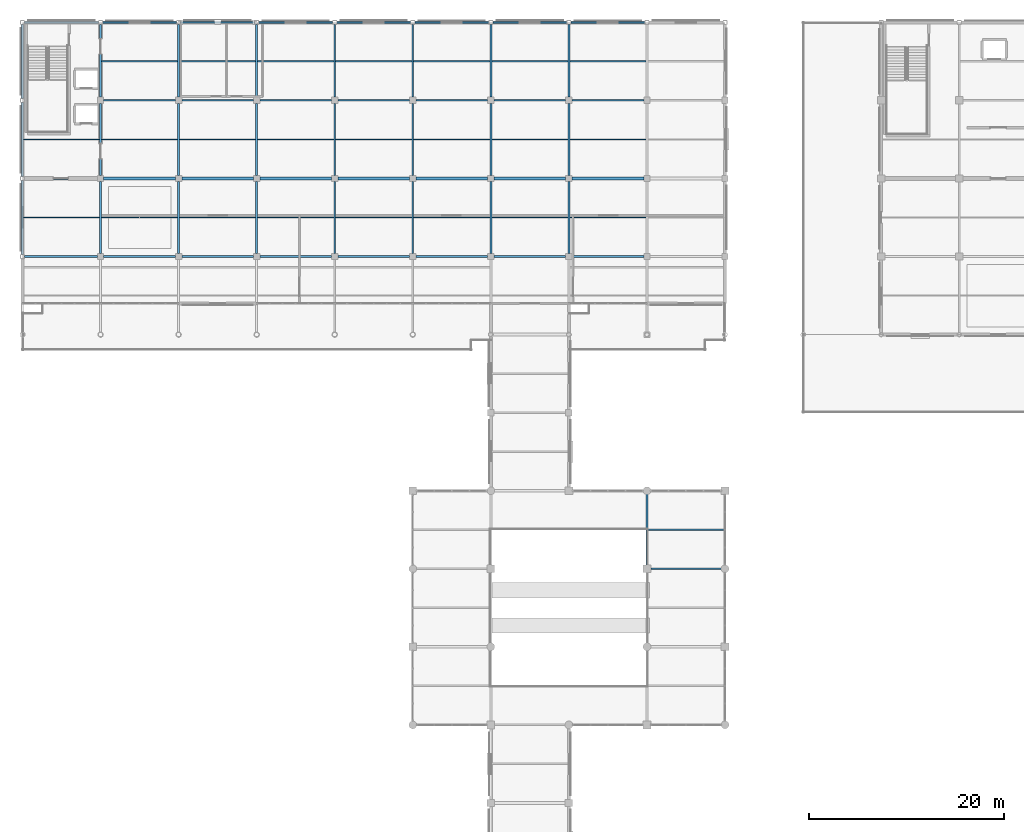
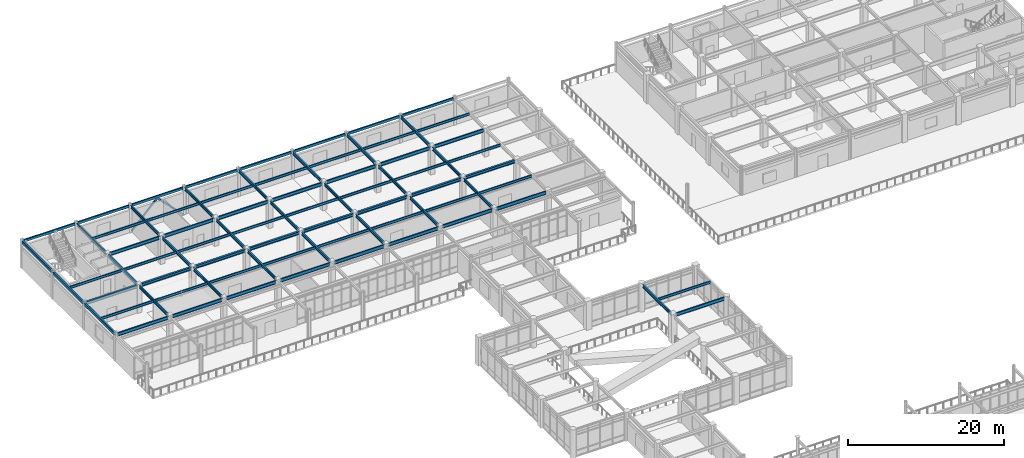
# One storey, part 44 of 75: 81 beams, 2 members.
"""IFC4 building model written with IfcOpenShell, lengths in metres."""

from ifc_helpers import new_model, si_unit, direction, frame, origin, origin_2d, place, context, subcontext, project, spatial, hollow_rectangle, i_section, extrude, material, material_profile, profile_set, type_object, element, save


model = new_model("IFC4")

# Units and contexts
model_context = context("Model", 3, precision=1e-05, world=origin(), true_north=direction((0.0, 1.0)))
body_context = subcontext(model_context, "Body", "Model", "MODEL_VIEW")
ifc_project = project(units=[si_unit("LENGTHUNIT", "METRE"), si_unit("AREAUNIT", "SQUARE_METRE"), si_unit("VOLUMEUNIT", "CUBIC_METRE"), si_unit("PLANEANGLEUNIT", "RADIAN"), si_unit("MASSUNIT", "GRAM", prefix="KILO")], contexts=[model_context])

# Site, building, storey
site_placement = place(None, origin())
site = spatial("IfcSite", under=ifc_project, at=site_placement, CompositionType="ELEMENT")
building_placement = place(site_placement, origin())
building = spatial("IfcBuilding", under=site, at=building_placement, Name="Solmirada Galleria", CompositionType="ELEMENT")
storey_placement = place(building_placement, frame((0.0, 0.0, 19.39990234375)))
storey = spatial("IfcBuildingStorey", under=building, at=storey_placement, Name="L04", CompositionType="ELEMENT", Elevation=19.39990234375)

# Beams
ifc_material_1 = material(Name="Steel S355 / ASTM A992 Grade 50", Category="steel")
ifc_material_profile_1 = material_profile(ifc_material_1, i_section(OverallWidth=0.281982421875, OverallDepth=0.467041015625, WebThickness=0.01220703125, FlangeThickness=0.01953125, FilletRadius=0.013916015625, at=origin_2d()), Name="W18X86")
ifc_profile_set_1 = profile_set([ifc_material_profile_1], Name="Steel S355 / ASTM A992 Grade 50")
beam_type_1 = type_object("IfcBeamType", Name="BM-GIRD-W18A", PredefinedType="BEAM", material=ifc_profile_set_1)
beam_1_placement = place(storey_placement, frame((40.202880859375, 104.0, 4.066650390625), z_axis=(1.0, 0.0, 0.0), x_axis=(0.0, 1.0, 0.0)))
element("IfcBeam", 1, at=beam_1_placement, inside=storey, type_object=beam_type_1, Name="Primary beam L05 X(40..48, 104)", PredefinedType="BEAM", context=body_context, shape_type="SweptSolid", body=[
    extrude(i_section(OverallWidth=0.281982421875, OverallDepth=0.467041015625, WebThickness=0.01220703125, FlangeThickness=0.01953125, FilletRadius=0.013916015625, at=origin_2d()), origin(), (0.0, 0.0, 1.0), 7.47216796875),
])
for number, where, z_axis, x_axis, name in (
    (2, (48.324951171875, 104.0, 4.066650390625), (1.0, 0.0, 0.0), (0.0, 1.0, 0.0), "Primary beam L05 X(48..56, 104)"),
    (3, (56.324951171875, 104.0, 4.066650390625), (1.0, 0.0, 0.0), (0.0, 1.0, 0.0), "Primary beam L05 X(56..64, 104)"),
    (4, (64.324951171875, 104.0, 4.066650390625), (1.0, 0.0, 0.0), (0.0, 1.0, 0.0), "Primary beam L05 X(64..72, 104)"),
    (5, (72.324951171875, 104.0, 4.066650390625), (1.0, 0.0, 0.0), (0.0, 1.0, 0.0), "Primary beam L05 X(72..80, 104)"),
    (6, (80.324951171875, 104.0, 4.066650390625), (1.0, 0.0, 0.0), (0.0, 1.0, 0.0), "Primary beam L05 X(80..88, 104)"),
    (7, (88.324951171875, 104.0, 4.066650390625), (1.0, 0.0, 0.0), (0.0, 1.0, 0.0), "Primary beam L05 X(88..96, 104)"),
    (8, (96.324951171875, 104.0, 4.066650390625), (1.0, 0.0, 0.0), (0.0, 1.0, 0.0), "Primary beam L05 X(96..104, 104)"),
):
    element("IfcBeam", number, at=place(storey_placement, frame(where, z_axis=z_axis, x_axis=x_axis)), inside=storey, type_object=beam_type_1, Name=name, PredefinedType="BEAM", context=body_context, shape_type="SweptSolid", body=[
        extrude(i_section(OverallWidth=0.281982421875, OverallDepth=0.467041015625, WebThickness=0.01220703125, FlangeThickness=0.01953125, FilletRadius=0.013916015625, at=origin_2d()), origin(), (0.0, 0.0, 1.0), 7.35009765625),
    ])
ifc_material_profile_2 = material_profile(ifc_material_1, i_section(OverallWidth=0.193115234375, OverallDepth=0.466064453125, WebThickness=0.011474609375, FlangeThickness=0.01904296875, FilletRadius=0.013916015625, at=origin_2d()), Name="W18X65")
ifc_profile_set_2 = profile_set([ifc_material_profile_2], Name="Steel S355 / ASTM A992 Grade 50")
beam_type_2 = type_object("IfcBeamType", Name="BM-GIRD-W18C", PredefinedType="BEAM", material=ifc_profile_set_2)
for number, where, z_axis, x_axis, name in (
    (9, (48.0, 96.324951171875, 4.067138671875), (0.0, 1.0, 0.0), (-1.0, 0.0, 0.0), "Primary girder L05 Y(48, 96..104)"),
    (10, (48.0, 104.324951171875, 4.067138671875), (0.0, 1.0, 0.0), (-1.0, 0.0, 0.0), "Primary girder L05 Y(48, 104..112)"),
):
    element("IfcBeam", number, at=place(storey_placement, frame(where, z_axis=z_axis, x_axis=x_axis)), inside=storey, type_object=beam_type_2, Name=name, PredefinedType="BEAM", context=body_context, shape_type="SweptSolid", body=[
        extrude(i_section(OverallWidth=0.193115234375, OverallDepth=0.466064453125, WebThickness=0.011474609375, FlangeThickness=0.01904296875, FilletRadius=0.013916015625, at=origin_2d()), origin(), (0.0, 0.0, 1.0), 7.35009765625),
    ])
beam_2_placement = place(storey_placement, frame((48.0, 112.324951171875, 4.067138671875), z_axis=(0.0, 1.0, 0.0), x_axis=(-1.0, 0.0, 0.0)))
element("IfcBeam", 11, at=beam_2_placement, inside=storey, type_object=beam_type_2, Name="Primary girder L05 Y(48, 112..120)", PredefinedType="BEAM", context=body_context, shape_type="SweptSolid", body=[
    extrude(i_section(OverallWidth=0.193115234375, OverallDepth=0.466064453125, WebThickness=0.011474609375, FlangeThickness=0.01904296875, FilletRadius=0.013916015625, at=origin_2d()), origin(), (0.0, 0.0, 1.0), 7.47216796875),
])
for number, where, z_axis, x_axis, name in (
    (12, (56.0, 96.324951171875, 4.067138671875), (0.0, 1.0, 0.0), (-1.0, 0.0, 0.0), "Primary girder L05 Y(56, 96..104)"),
    (13, (56.0, 104.324951171875, 4.067138671875), (0.0, 1.0, 0.0), (-1.0, 0.0, 0.0), "Primary girder L05 Y(56, 104..112)"),
):
    element("IfcBeam", number, at=place(storey_placement, frame(where, z_axis=z_axis, x_axis=x_axis)), inside=storey, type_object=beam_type_2, Name=name, PredefinedType="BEAM", context=body_context, shape_type="SweptSolid", body=[
        extrude(i_section(OverallWidth=0.193115234375, OverallDepth=0.466064453125, WebThickness=0.011474609375, FlangeThickness=0.01904296875, FilletRadius=0.013916015625, at=origin_2d()), origin(), (0.0, 0.0, 1.0), 7.35009765625),
    ])
beam_3_placement = place(storey_placement, frame((56.0, 112.324951171875, 4.067138671875), z_axis=(0.0, 1.0, 0.0), x_axis=(-1.0, 0.0, 0.0)))
element("IfcBeam", 14, at=beam_3_placement, inside=storey, type_object=beam_type_2, Name="Primary girder L05 Y(56, 112..120)", PredefinedType="BEAM", context=body_context, shape_type="SweptSolid", body=[
    extrude(i_section(OverallWidth=0.193115234375, OverallDepth=0.466064453125, WebThickness=0.011474609375, FlangeThickness=0.01904296875, FilletRadius=0.013916015625, at=origin_2d()), origin(), (0.0, 0.0, 1.0), 7.47216796875),
])
for number, where, z_axis, x_axis, name in (
    (15, (64.0, 96.324951171875, 4.067138671875), (0.0, 1.0, 0.0), (-1.0, 0.0, 0.0), "Primary girder L05 Y(64, 96..104)"),
    (16, (64.0, 104.324951171875, 4.067138671875), (0.0, 1.0, 0.0), (-1.0, 0.0, 0.0), "Primary girder L05 Y(64, 104..112)"),
):
    element("IfcBeam", number, at=place(storey_placement, frame(where, z_axis=z_axis, x_axis=x_axis)), inside=storey, type_object=beam_type_2, Name=name, PredefinedType="BEAM", context=body_context, shape_type="SweptSolid", body=[
        extrude(i_section(OverallWidth=0.193115234375, OverallDepth=0.466064453125, WebThickness=0.011474609375, FlangeThickness=0.01904296875, FilletRadius=0.013916015625, at=origin_2d()), origin(), (0.0, 0.0, 1.0), 7.35009765625),
    ])
beam_4_placement = place(storey_placement, frame((64.0, 112.324951171875, 4.067138671875), z_axis=(0.0, 1.0, 0.0), x_axis=(-1.0, 0.0, 0.0)))
element("IfcBeam", 17, at=beam_4_placement, inside=storey, type_object=beam_type_2, Name="Primary girder L05 Y(64, 112..120)", PredefinedType="BEAM", context=body_context, shape_type="SweptSolid", body=[
    extrude(i_section(OverallWidth=0.193115234375, OverallDepth=0.466064453125, WebThickness=0.011474609375, FlangeThickness=0.01904296875, FilletRadius=0.013916015625, at=origin_2d()), origin(), (0.0, 0.0, 1.0), 7.47216796875),
])
for number, where, z_axis, x_axis, name in (
    (18, (72.0, 96.324951171875, 4.067138671875), (0.0, 1.0, 0.0), (-1.0, 0.0, 0.0), "Primary girder L05 Y(72, 96..104)"),
    (19, (72.0, 104.324951171875, 4.067138671875), (0.0, 1.0, 0.0), (-1.0, 0.0, 0.0), "Primary girder L05 Y(72, 104..112)"),
):
    element("IfcBeam", number, at=place(storey_placement, frame(where, z_axis=z_axis, x_axis=x_axis)), inside=storey, type_object=beam_type_2, Name=name, PredefinedType="BEAM", context=body_context, shape_type="SweptSolid", body=[
        extrude(i_section(OverallWidth=0.193115234375, OverallDepth=0.466064453125, WebThickness=0.011474609375, FlangeThickness=0.01904296875, FilletRadius=0.013916015625, at=origin_2d()), origin(), (0.0, 0.0, 1.0), 7.35009765625),
    ])
beam_5_placement = place(storey_placement, frame((72.0, 112.324951171875, 4.067138671875), z_axis=(0.0, 1.0, 0.0), x_axis=(-1.0, 0.0, 0.0)))
element("IfcBeam", 20, at=beam_5_placement, inside=storey, type_object=beam_type_2, Name="Primary girder L05 Y(72, 112..120)", PredefinedType="BEAM", context=body_context, shape_type="SweptSolid", body=[
    extrude(i_section(OverallWidth=0.193115234375, OverallDepth=0.466064453125, WebThickness=0.011474609375, FlangeThickness=0.01904296875, FilletRadius=0.013916015625, at=origin_2d()), origin(), (0.0, 0.0, 1.0), 7.47216796875),
])
for number, where, z_axis, x_axis, name in (
    (21, (80.0, 96.324951171875, 4.067138671875), (0.0, 1.0, 0.0), (-1.0, 0.0, 0.0), "Primary girder L05 Y(80, 96..104)"),
    (22, (80.0, 104.324951171875, 4.067138671875), (0.0, 1.0, 0.0), (-1.0, 0.0, 0.0), "Primary girder L05 Y(80, 104..112)"),
):
    element("IfcBeam", number, at=place(storey_placement, frame(where, z_axis=z_axis, x_axis=x_axis)), inside=storey, type_object=beam_type_2, Name=name, PredefinedType="BEAM", context=body_context, shape_type="SweptSolid", body=[
        extrude(i_section(OverallWidth=0.193115234375, OverallDepth=0.466064453125, WebThickness=0.011474609375, FlangeThickness=0.01904296875, FilletRadius=0.013916015625, at=origin_2d()), origin(), (0.0, 0.0, 1.0), 7.35009765625),
    ])
beam_6_placement = place(storey_placement, frame((80.0, 112.324951171875, 4.067138671875), z_axis=(0.0, 1.0, 0.0), x_axis=(-1.0, 0.0, 0.0)))
element("IfcBeam", 23, at=beam_6_placement, inside=storey, type_object=beam_type_2, Name="Primary girder L05 Y(80, 112..120)", PredefinedType="BEAM", context=body_context, shape_type="SweptSolid", body=[
    extrude(i_section(OverallWidth=0.193115234375, OverallDepth=0.466064453125, WebThickness=0.011474609375, FlangeThickness=0.01904296875, FilletRadius=0.013916015625, at=origin_2d()), origin(), (0.0, 0.0, 1.0), 7.47216796875),
])
for number, where, z_axis, x_axis, name in (
    (24, (88.0, 96.324951171875, 4.067138671875), (0.0, 1.0, 0.0), (-1.0, 0.0, 0.0), "Primary girder L05 Y(88, 96..104)"),
    (25, (88.0, 104.324951171875, 4.067138671875), (0.0, 1.0, 0.0), (-1.0, 0.0, 0.0), "Primary girder L05 Y(88, 104..112)"),
):
    element("IfcBeam", number, at=place(storey_placement, frame(where, z_axis=z_axis, x_axis=x_axis)), inside=storey, type_object=beam_type_2, Name=name, PredefinedType="BEAM", context=body_context, shape_type="SweptSolid", body=[
        extrude(i_section(OverallWidth=0.193115234375, OverallDepth=0.466064453125, WebThickness=0.011474609375, FlangeThickness=0.01904296875, FilletRadius=0.013916015625, at=origin_2d()), origin(), (0.0, 0.0, 1.0), 7.35009765625),
    ])
beam_7_placement = place(storey_placement, frame((88.0, 112.324951171875, 4.067138671875), z_axis=(0.0, 1.0, 0.0), x_axis=(-1.0, 0.0, 0.0)))
element("IfcBeam", 26, at=beam_7_placement, inside=storey, type_object=beam_type_2, Name="Primary girder L05 Y(88, 112..120)", PredefinedType="BEAM", context=body_context, shape_type="SweptSolid", body=[
    extrude(i_section(OverallWidth=0.193115234375, OverallDepth=0.466064453125, WebThickness=0.011474609375, FlangeThickness=0.01904296875, FilletRadius=0.013916015625, at=origin_2d()), origin(), (0.0, 0.0, 1.0), 7.47216796875),
])
for number, where, z_axis, x_axis, name in (
    (27, (96.0, 96.324951171875, 4.067138671875), (0.0, 1.0, 0.0), (-1.0, 0.0, 0.0), "Primary girder L05 Y(96, 96..104)"),
    (28, (96.0, 104.324951171875, 4.067138671875), (0.0, 1.0, 0.0), (-1.0, 0.0, 0.0), "Primary girder L05 Y(96, 104..112)"),
):
    element("IfcBeam", number, at=place(storey_placement, frame(where, z_axis=z_axis, x_axis=x_axis)), inside=storey, type_object=beam_type_2, Name=name, PredefinedType="BEAM", context=body_context, shape_type="SweptSolid", body=[
        extrude(i_section(OverallWidth=0.193115234375, OverallDepth=0.466064453125, WebThickness=0.011474609375, FlangeThickness=0.01904296875, FilletRadius=0.013916015625, at=origin_2d()), origin(), (0.0, 0.0, 1.0), 7.35009765625),
    ])
beam_8_placement = place(storey_placement, frame((96.0, 112.324951171875, 4.067138671875), z_axis=(0.0, 1.0, 0.0), x_axis=(-1.0, 0.0, 0.0)))
element("IfcBeam", 29, at=beam_8_placement, inside=storey, type_object=beam_type_2, Name="Primary girder L05 Y(96, 112..120)", PredefinedType="BEAM", context=body_context, shape_type="SweptSolid", body=[
    extrude(i_section(OverallWidth=0.193115234375, OverallDepth=0.466064453125, WebThickness=0.011474609375, FlangeThickness=0.01904296875, FilletRadius=0.013916015625, at=origin_2d()), origin(), (0.0, 0.0, 1.0), 7.47216796875),
])
beam_9_placement = place(storey_placement, frame((104.0, 64.39990234375, 4.067138671875), z_axis=(0.0, 1.0, 0.0), x_axis=(-1.0, 0.0, 0.0)))
element("IfcBeam", 30, at=beam_9_placement, inside=storey, type_object=beam_type_2, Name="Primary girder L05 Y(104, 64..72)", PredefinedType="BEAM", context=body_context, shape_type="SweptSolid", body=[
    extrude(i_section(OverallWidth=0.193115234375, OverallDepth=0.466064453125, WebThickness=0.011474609375, FlangeThickness=0.01904296875, FilletRadius=0.013916015625, at=origin_2d()), origin(), (0.0, 0.0, 1.0), 7.26416015625),
])
ifc_material_profile_3 = material_profile(ifc_material_1, i_section(OverallWidth=0.1669921875, OverallDepth=0.534912109375, WebThickness=0.01025390625, FlangeThickness=0.0166015625, FilletRadius=0.013916015625, at=origin_2d()), Name="W21X57")
ifc_profile_set_3 = profile_set([ifc_material_profile_3], Name="Steel S355 / ASTM A992 Grade 50")
beam_type_3 = type_object("IfcBeamType", Name="BM-GIRD-W21C", PredefinedType="BEAM", material=ifc_profile_set_3)
beam_10_placement = place(storey_placement, frame((40.202880859375, 96.0, 3.99267578125), z_axis=(1.0, 0.0, 0.0), x_axis=(0.0, 1.0, 0.0)))
element("IfcBeam", 31, at=beam_10_placement, inside=storey, type_object=beam_type_3, Name="Primary beam L05 X(40..48, 96)", PredefinedType="BEAM", context=body_context, shape_type="SweptSolid", body=[
    extrude(i_section(OverallWidth=0.1669921875, OverallDepth=0.534912109375, WebThickness=0.01025390625, FlangeThickness=0.0166015625, FilletRadius=0.013916015625, at=origin_2d()), origin(), (0.0, 0.0, 1.0), 7.47216796875),
])
for number, where, z_axis, x_axis, name in (
    (32, (48.324951171875, 96.0, 3.99267578125), (1.0, 0.0, 0.0), (0.0, 1.0, 0.0), "Primary beam L05 X(48..56, 96)"),
    (33, (48.324951171875, 112.0, 4.03271484375), (1.0, 0.0, 0.0), (0.0, 1.0, 0.0), "Primary beam L05 X(48..56, 112)"),
    (34, (56.324951171875, 96.0, 3.99267578125), (1.0, 0.0, 0.0), (0.0, 1.0, 0.0), "Primary beam L05 X(56..64, 96)"),
    (35, (56.324951171875, 112.0, 4.03271484375), (1.0, 0.0, 0.0), (0.0, 1.0, 0.0), "Primary beam L05 X(56..64, 112)"),
    (36, (64.324951171875, 96.0, 3.99267578125), (1.0, 0.0, 0.0), (0.0, 1.0, 0.0), "Primary beam L05 X(64..72, 96)"),
    (37, (64.324951171875, 112.0, 4.03271484375), (1.0, 0.0, 0.0), (0.0, 1.0, 0.0), "Primary beam L05 X(64..72, 112)"),
    (38, (72.324951171875, 96.0, 3.99267578125), (1.0, 0.0, 0.0), (0.0, 1.0, 0.0), "Primary beam L05 X(72..80, 96)"),
    (39, (72.324951171875, 112.0, 4.03271484375), (1.0, 0.0, 0.0), (0.0, 1.0, 0.0), "Primary beam L05 X(72..80, 112)"),
    (40, (80.324951171875, 96.0, 3.99267578125), (1.0, 0.0, 0.0), (0.0, 1.0, 0.0), "Primary beam L05 X(80..88, 96)"),
    (41, (80.324951171875, 112.0, 4.03271484375), (1.0, 0.0, 0.0), (0.0, 1.0, 0.0), "Primary beam L05 X(80..88, 112)"),
    (42, (88.324951171875, 96.0, 4.03271484375), (1.0, 0.0, 0.0), (0.0, 1.0, 0.0), "Primary beam L05 X(88..96, 96)"),
    (43, (88.324951171875, 112.0, 4.03271484375), (1.0, 0.0, 0.0), (0.0, 1.0, 0.0), "Primary beam L05 X(88..96, 112)"),
    (44, (96.324951171875, 96.0, 3.99267578125), (1.0, 0.0, 0.0), (0.0, 1.0, 0.0), "Primary beam L05 X(96..104, 96)"),
    (45, (96.324951171875, 112.0, 4.03271484375), (1.0, 0.0, 0.0), (0.0, 1.0, 0.0), "Primary beam L05 X(96..104, 112)"),
):
    element("IfcBeam", number, at=place(storey_placement, frame(where, z_axis=z_axis, x_axis=x_axis)), inside=storey, type_object=beam_type_3, Name=name, PredefinedType="BEAM", context=body_context, shape_type="SweptSolid", body=[
        extrude(i_section(OverallWidth=0.1669921875, OverallDepth=0.534912109375, WebThickness=0.01025390625, FlangeThickness=0.0166015625, FilletRadius=0.013916015625, at=origin_2d()), origin(), (0.0, 0.0, 1.0), 7.35009765625),
    ])
beam_11_placement = place(storey_placement, frame((104.39990234375, 64.0, 4.03271484375), z_axis=(1.0, 0.0, 0.0), x_axis=(0.0, 1.0, 0.0)))
element("IfcBeam", 46, at=beam_11_placement, inside=storey, type_object=beam_type_3, Name="Primary beam L05 X(104..112, 64)", PredefinedType="BEAM", context=body_context, shape_type="SweptSolid", body=[
    extrude(i_section(OverallWidth=0.1669921875, OverallDepth=0.534912109375, WebThickness=0.01025390625, FlangeThickness=0.0166015625, FilletRadius=0.013916015625, at=origin_2d()), origin(), (0.0, 0.0, 1.0), 7.26416015625),
])
ifc_material_profile_4 = material_profile(ifc_material_1, i_section(OverallWidth=0.139892578125, OverallDepth=0.39892578125, WebThickness=0.00634765625, FlangeThickness=0.0087890625, FilletRadius=0.010986328125, at=origin_2d()), Name="W16X26")
ifc_profile_set_4 = profile_set([ifc_material_profile_4], Name="Steel S355 / ASTM A992 Grade 50")
beam_type_4 = type_object("IfcBeamType", Name="BM-JST-W16C", PredefinedType="JOIST", material=ifc_profile_set_4)
for number, where, z_axis, x_axis, name in (
    (47, (40.126953125, 100.0, 4.1005859375), (1.0, 0.0, 0.0), (0.0, 1.0, 0.0), "Composite floor joist L05 (40..48, 100.0)"),
    (48, (40.126953125, 108.0, 4.1005859375), (1.0, 0.0, 0.0), (0.0, 1.0, 0.0), "Composite floor joist L05 (40..48, 108.0)"),
):
    element("IfcBeam", number, at=place(storey_placement, frame(where, z_axis=z_axis, x_axis=x_axis)), inside=storey, type_object=beam_type_4, Name=name, PredefinedType="JOIST", context=body_context, shape_type="SweptSolid", body=[
        extrude(i_section(OverallWidth=0.139892578125, OverallDepth=0.39892578125, WebThickness=0.00634765625, FlangeThickness=0.0087890625, FilletRadius=0.010986328125, at=origin_2d()), origin(), (0.0, 0.0, 1.0), 7.776611328125),
    ])
for number, where, z_axis, x_axis, name in (
    (49, (48.096435546875, 100.0, 4.1005859375), (1.0, 0.0, 0.0), (0.0, 1.0, 0.0), "Composite floor joist L05 (48..56, 100.0)"),
    (50, (48.096435546875, 108.0, 4.1005859375), (1.0, 0.0, 0.0), (0.0, 1.0, 0.0), "Composite floor joist L05 (48..56, 108.0)"),
    (51, (48.096435546875, 116.0, 4.1005859375), (1.0, 0.0, 0.0), (0.0, 1.0, 0.0), "Composite floor joist L05 (48..56, 116.0)"),
    (52, (56.096435546875, 100.0, 4.1005859375), (1.0, 0.0, 0.0), (0.0, 1.0, 0.0), "Composite floor joist L05 (56..64, 100.0)"),
    (53, (56.096435546875, 108.0, 4.1005859375), (1.0, 0.0, 0.0), (0.0, 1.0, 0.0), "Composite floor joist L05 (56..64, 108.0)"),
    (54, (56.096435546875, 116.0, 4.1005859375), (1.0, 0.0, 0.0), (0.0, 1.0, 0.0), "Composite floor joist L05 (56..64, 116.0)"),
    (55, (64.096435546875, 100.0, 4.1005859375), (1.0, 0.0, 0.0), (0.0, 1.0, 0.0), "Composite floor joist L05 (64..72, 100.0)"),
    (56, (64.096435546875, 108.0, 4.1005859375), (1.0, 0.0, 0.0), (0.0, 1.0, 0.0), "Composite floor joist L05 (64..72, 108.0)"),
    (57, (64.096435546875, 116.0, 4.1005859375), (1.0, 0.0, 0.0), (0.0, 1.0, 0.0), "Composite floor joist L05 (64..72, 116.0)"),
    (58, (72.096435546875, 100.0, 4.1005859375), (1.0, 0.0, 0.0), (0.0, 1.0, 0.0), "Composite floor joist L05 (72..80, 100.0)"),
    (59, (72.096435546875, 108.0, 4.1005859375), (1.0, 0.0, 0.0), (0.0, 1.0, 0.0), "Composite floor joist L05 (72..80, 108.0)"),
    (60, (72.096435546875, 116.0, 4.1005859375), (1.0, 0.0, 0.0), (0.0, 1.0, 0.0), "Composite floor joist L05 (72..80, 116.0)"),
    (61, (80.096435546875, 100.0, 4.1005859375), (1.0, 0.0, 0.0), (0.0, 1.0, 0.0), "Composite floor joist L05 (80..88, 100.0)"),
    (62, (80.096435546875, 108.0, 4.1005859375), (1.0, 0.0, 0.0), (0.0, 1.0, 0.0), "Composite floor joist L05 (80..88, 108.0)"),
    (63, (80.096435546875, 116.0, 4.1005859375), (1.0, 0.0, 0.0), (0.0, 1.0, 0.0), "Composite floor joist L05 (80..88, 116.0)"),
    (64, (88.096435546875, 100.0, 4.1005859375), (1.0, 0.0, 0.0), (0.0, 1.0, 0.0), "Composite floor joist L05 (88..96, 100.0)"),
    (65, (88.096435546875, 108.0, 4.1005859375), (1.0, 0.0, 0.0), (0.0, 1.0, 0.0), "Composite floor joist L05 (88..96, 108.0)"),
    (66, (88.096435546875, 116.0, 4.1005859375), (1.0, 0.0, 0.0), (0.0, 1.0, 0.0), "Composite floor joist L05 (88..96, 116.0)"),
    (67, (96.096435546875, 100.0, 4.1005859375), (1.0, 0.0, 0.0), (0.0, 1.0, 0.0), "Composite floor joist L05 (96..104, 100.0)"),
    (68, (96.096435546875, 108.0, 4.1005859375), (1.0, 0.0, 0.0), (0.0, 1.0, 0.0), "Composite floor joist L05 (96..104, 108.0)"),
    (69, (96.096435546875, 116.0, 4.1005859375), (1.0, 0.0, 0.0), (0.0, 1.0, 0.0), "Composite floor joist L05 (96..104, 116.0)"),
    (70, (104.096435546875, 68.0, 4.1005859375), (1.0, 0.0, 0.0), (0.0, 1.0, 0.0), "Composite floor joist L05 (104..112, 68.0)"),
):
    element("IfcBeam", number, at=place(storey_placement, frame(where, z_axis=z_axis, x_axis=x_axis)), inside=storey, type_object=beam_type_4, Name=name, PredefinedType="JOIST", context=body_context, shape_type="SweptSolid", body=[
        extrude(i_section(OverallWidth=0.139892578125, OverallDepth=0.39892578125, WebThickness=0.00634765625, FlangeThickness=0.0087890625, FilletRadius=0.010986328125, at=origin_2d()), origin(), (0.0, 0.0, 1.0), 7.80712890625),
    ])
ifc_material_2 = material(Name="Steel S355 / ASTM A500 Grade C", Category="steel")
ifc_material_profile_5 = material_profile(ifc_material_2, hollow_rectangle(XDim=0.202880859375, YDim=0.406005859375, WallThickness=0.01171875, InnerFilletRadius=0.01171875, OuterFilletRadius=0.023681640625, at=origin_2d()), Name="HSS16X8X1/2")
ifc_profile_set_5 = profile_set([ifc_material_profile_5], Name="Steel S355 / ASTM A500 Grade C")
beam_type_5 = type_object("IfcBeamType", Name="BM-SPAND-W16A", PredefinedType="SPANDREL", material=ifc_profile_set_5)
for number, where, z_axis, x_axis, name in (
    (71, (40.202880859375, 120.0, 4.09716796875), (1.0, 0.0, 0.0), (0.0, 1.0, 0.0), "Primary beam L05 X(40..48, 120)"),
    (72, (48.202880859375, 120.0, 4.09716796875), (1.0, 0.0, 0.0), (0.0, 1.0, 0.0), "Primary beam L05 X(48..56, 120)"),
    (73, (56.202880859375, 120.0, 4.09716796875), (1.0, 0.0, 0.0), (0.0, 1.0, 0.0), "Primary beam L05 X(56..64, 120)"),
    (74, (64.202880859375, 120.0, 4.09716796875), (1.0, 0.0, 0.0), (0.0, 1.0, 0.0), "Primary beam L05 X(64..72, 120)"),
    (75, (72.202880859375, 120.0, 4.09716796875), (1.0, 0.0, 0.0), (0.0, 1.0, 0.0), "Primary beam L05 X(72..80, 120)"),
    (76, (80.202880859375, 120.0, 4.09716796875), (1.0, 0.0, 0.0), (0.0, 1.0, 0.0), "Primary beam L05 X(80..88, 120)"),
    (77, (88.202880859375, 120.0, 4.09716796875), (1.0, 0.0, 0.0), (0.0, 1.0, 0.0), "Primary beam L05 X(88..96, 120)"),
    (78, (96.202880859375, 120.0, 4.09716796875), (1.0, 0.0, 0.0), (0.0, 1.0, 0.0), "Primary beam L05 X(96..104, 120)"),
):
    element("IfcBeam", number, at=place(storey_placement, frame(where, z_axis=z_axis, x_axis=x_axis)), inside=storey, type_object=beam_type_5, Name=name, PredefinedType="SPANDREL", context=body_context, shape_type="SweptSolid", body=[
        extrude(hollow_rectangle(XDim=0.202880859375, YDim=0.406005859375, WallThickness=0.01171875, InnerFilletRadius=0.01171875, OuterFilletRadius=0.023681640625, at=origin_2d()), origin(), (0.0, 0.0, 1.0), 7.59423828125),
    ])
ifc_material_profile_6 = material_profile(ifc_material_2, hollow_rectangle(XDim=0.25390625, YDim=0.45703125, WallThickness=0.01171875, InnerFilletRadius=0.01171875, OuterFilletRadius=0.023681640625, at=origin_2d()), Name="HSS18X10X1/2")
ifc_profile_set_6 = profile_set([ifc_material_profile_6], Name="Steel S355 / ASTM A500 Grade C")
beam_type_6 = type_object("IfcBeamType", Name="BM-SPAND-W18", PredefinedType="SPANDREL", material=ifc_profile_set_6)
for number, where, z_axis, x_axis, name in (
    (79, (40.0, 96.202880859375, 4.071533203125), (0.0, 1.0, 0.0), (-1.0, 0.0, 0.0), "Primary girder L05 Y(40, 96..104)"),
    (80, (40.0, 104.202880859375, 4.071533203125), (0.0, 1.0, 0.0), (-1.0, 0.0, 0.0), "Primary girder L05 Y(40, 104..112)"),
    (81, (40.0, 112.202880859375, 4.071533203125), (0.0, 1.0, 0.0), (-1.0, 0.0, 0.0), "Primary girder L05 Y(40, 112..120)"),
):
    element("IfcBeam", number, at=place(storey_placement, frame(where, z_axis=z_axis, x_axis=x_axis)), inside=storey, type_object=beam_type_6, Name=name, PredefinedType="SPANDREL", context=body_context, shape_type="SweptSolid", body=[
        extrude(hollow_rectangle(XDim=0.25390625, YDim=0.45703125, WallThickness=0.01171875, InnerFilletRadius=0.01171875, OuterFilletRadius=0.023681640625, at=origin_2d()), origin(), (0.0, 0.0, 1.0), 7.59423828125),
    ])

# Members
ifc_material_profile_7 = material_profile(ifc_material_2, hollow_rectangle(XDim=0.152099609375, YDim=0.25390625, WallThickness=0.0087890625, InnerFilletRadius=0.0087890625, OuterFilletRadius=0.017822265625, at=origin_2d()), Name="HSS10X6X3/8")
ifc_profile_set_7 = profile_set([ifc_material_profile_7], Name="Steel S355 / ASTM A500 Grade C")
member_type = type_object("IfcMemberType", Name="MEM-CBF-EXT", PredefinedType="BRACE", material=ifc_profile_set_7)
for number, where, z_axis, x_axis, name in (
    (82, (56.202880859375, 120.0, 0.02001953125), (0.701266400883, 0.0, 0.712899316168), (0.0, 1.0, 0.0), "Braced frame diagonal CBF-N1 L04 A"),
    (83, (63.797119140625, 120.0, 0.02001953125), (-0.701266400883, 0.0, 0.712899316168), (0.0, -1.0, 0.0), "Braced frame diagonal CBF-N1 L04 B"),
):
    element("IfcMember", number, at=place(storey_placement, frame(where, z_axis=z_axis, x_axis=x_axis)), inside=storey, type_object=member_type, Name=name, PredefinedType="BRACE", context=body_context, shape_type="SweptSolid", body=[
        extrude(hollow_rectangle(XDim=0.152099609375, YDim=0.25390625, WallThickness=0.0087890625, InnerFilletRadius=0.0087890625, OuterFilletRadius=0.017822265625, at=origin_2d()), origin(), (0.0, 0.0, 1.0), 5.41455078125),
    ])

save(model, "model.ifc")
